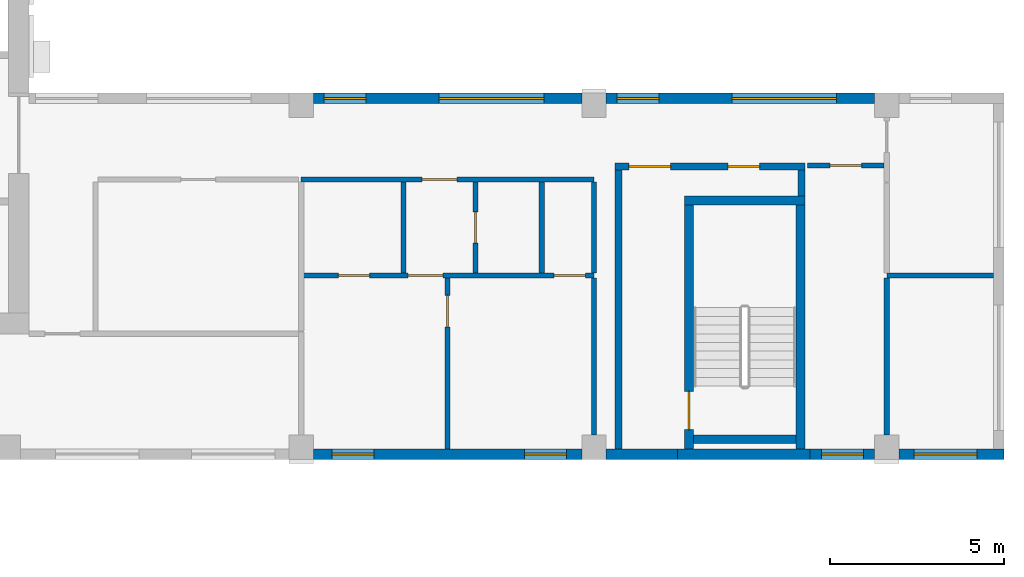
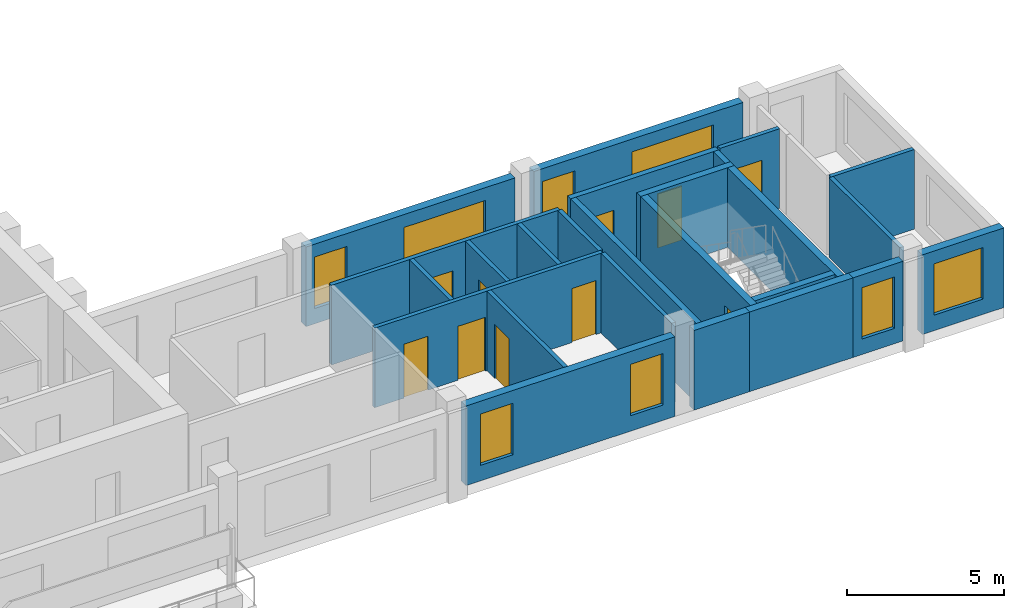
# One storey, part 4 of 9: 25 walls, 10 doors, 8 windows, 18 openings.
"""IFC4 building model written with IfcOpenShell, lengths in metres."""

from ifc_helpers import new_model, si_unit, direction, frame, frame_2d, origin, place, context, subcontext, project, spatial, rectangle, extrude, source, transform, mapped, material, layer, layer_set, type_object, element, fill, save


model = new_model("IFC4")

# Units and contexts
model_context = context("Model", 3, precision=1e-05, world=origin(), true_north=direction((0.0, 1.0)))
body_context = subcontext(model_context, "Body", "Model", "MODEL_VIEW")
ifc_project = project(units=[si_unit("LENGTHUNIT", "METRE"), si_unit("AREAUNIT", "SQUARE_METRE"), si_unit("VOLUMEUNIT", "CUBIC_METRE"), si_unit("PLANEANGLEUNIT", "RADIAN"), si_unit("MASSUNIT", "GRAM", prefix="KILO")], contexts=[model_context])

# Site, building, storey
site_placement = place(None, origin())
site = spatial("IfcSite", under=ifc_project, at=site_placement, CompositionType="ELEMENT")
building_placement = place(site_placement, origin())
building = spatial("IfcBuilding", under=site, at=building_placement, Name="Aurelian Terraces", CompositionType="ELEMENT")
storey_placement = place(building_placement, frame((0.0, 0.0, 312.5)))
storey = spatial("IfcBuildingStorey", under=building, at=storey_placement, Name="L72", CompositionType="ELEMENT", Elevation=312.5)

# Wall
ifc_material_1 = material(Name="Gypsum board on steel studs", Category="steel")
ifc_layer_1 = layer(ifc_material_1, 0.15)
ifc_layer_set_1 = layer_set([ifc_layer_1], Name="Fire partition 150")
wall_type_1 = type_object("IfcWallType", Name="Fire partition 150", PredefinedType="PARTITIONING", material=ifc_layer_set_1)
wall_1_placement = place(storey_placement, frame((37.8, 0.699, 0.0), z_axis=(0.0, 0.0, 1.0), x_axis=(0.0, 1.0, 0.0)))
element("IfcWall", 1, at=wall_1_placement, inside=storey, type_object=wall_type_1, Name="Party wall", PredefinedType="PARTITIONING", context=body_context, shape_type="SweptSolid", body=[
    extrude(rectangle(XDim=4.501, YDim=0.15, at=frame_2d((2.2505, 0.0))), origin(), (0.0, 0.0, 1.0), 3.1),
])

# Wall, opening, door
ifc_layer_2 = layer(ifc_material_1, 0.15)
ifc_layer_set_2 = layer_set([ifc_layer_2], Name="Partition 150")
wall_type_2 = type_object("IfcWallType", Name="Partition 150", PredefinedType="PARTITIONING", material=ifc_layer_set_2)
wall_2_placement = place(storey_placement, frame((33.6, 0.3, 0.0), z_axis=(0.0, 0.0, 1.0), x_axis=(0.0, 1.0, 0.0)))
wall_2 = element("IfcWall", 2, at=wall_2_placement, inside=storey, type_object=wall_type_2, Name="Partition", PredefinedType="PARTITIONING", context=body_context, shape_type="SweptSolid", body=[
    extrude(rectangle(XDim=4.9, YDim=0.15, at=frame_2d((2.45, 0.0))), origin(), (0.0, 0.0, 1.0), 3.1),
])
shared_shape_1 = source(origin(), body_context, "Body", "SweptSolid", [
    extrude(rectangle(XDim=0.9, YDim=2.1, at=frame_2d((0.45, 1.05))), frame((0.0, 0.085, 0.0), z_axis=(0.0, -1.0, 0.0), x_axis=(1.0, 0.0, 0.0)), (0.0, 0.0, 1.0), 0.17),
])
opening_1_placement = place(wall_2_placement, frame((3.5, 0.0, 0.0)))
opening_1 = element("IfcOpeningElement", 3, at=opening_1_placement, cuts=wall_2, Name="Opening 772010", PredefinedType="OPENING", context=body_context, shape_type="MappedRepresentation", body=[
    mapped(shared_shape_1, transform((0.0, 0.0, 0.0), scale=1.0)),
])
ifc_material_2 = material(Name="Timber door leaf", Category="wood")
door_type_1 = type_object("IfcDoorType", Name="Room door 900x2100 right", OperationType="SINGLE_SWING_RIGHT", PredefinedType="DOOR", material=ifc_material_2)
shared_shape_2 = source(origin(), body_context, "Body", "SweptSolid", [
    extrude(rectangle(XDim=0.9, YDim=2.1, at=frame_2d((0.45, 1.05))), frame((0.0, 0.025, 0.0), z_axis=(0.0, -1.0, 0.0), x_axis=(1.0, 0.0, 0.0)), (0.0, 0.0, 1.0), 0.05),
])
door_1_placement = place(opening_1_placement, origin())
door_1 = element("IfcDoor", 4, at=door_1_placement, inside=storey, type_object=door_type_1, Name="Door 772010", OperationType="SINGLE_SWING_RIGHT", OverallHeight=2.1, OverallWidth=0.9, PredefinedType="DOOR", context=body_context, shape_type="MappedRepresentation", body=[
    mapped(shared_shape_2, transform((0.0, 0.0, 0.0), scale=1.0)),
])
fill(opening_1, door_1)

# Wall
wall_3_placement = place(storey_placement, frame((32.335, 5.35, 0.0), z_axis=(0.0, 0.0, 1.0), x_axis=(0.0, 1.0, 0.0)))
element("IfcWall", 5, at=wall_3_placement, inside=storey, type_object=wall_type_2, Name="Partition", PredefinedType="PARTITIONING", context=body_context, shape_type="SweptSolid", body=[
    extrude(rectangle(XDim=2.6, YDim=0.15, at=frame_2d((1.3, 0.0))), origin(), (0.0, 0.0, 1.0), 3.1),
])

# Wall, openings, windows
ifc_material_3 = material(Name="Terracotta rainscreen cladding", Category="masonry")
ifc_layer_3 = layer(ifc_material_3, 0.3)
ifc_layer_set_3 = layer_set([ifc_layer_3], Name="EW-300")
wall_type_3 = type_object("IfcWallType", Name="EW-300", PredefinedType="STANDARD", material=ifc_layer_set_3)
shared_shape_3 = source(origin(), body_context, "Body", "SweptSolid", [
    extrude(rectangle(XDim=7.7, YDim=0.3, at=frame_2d((3.85, 0.0))), origin(), (0.0, 0.0, 1.0), 3.1),
])
wall_4_placement = place(storey_placement, frame((29.75, 0.15, 0.0), z_axis=(0.0, 0.0, 1.0), x_axis=(1.0, 0.0, 0.0)))
wall_4 = element("IfcWall", 6, at=wall_4_placement, inside=storey, type_object=wall_type_3, Name="External wall L72 F01.4", PredefinedType="STANDARD", context=body_context, shape_type="MappedRepresentation", body=[
    mapped(shared_shape_3, transform((0.0, 0.0, 0.0), scale=1.0)),
])
shared_shape_4 = source(origin(), body_context, "Body", "SweptSolid", [
    extrude(rectangle(XDim=1.2, YDim=2.0, at=frame_2d((0.6, 1.0))), frame((0.0, 0.16, 0.0), z_axis=(0.0, -1.0, 0.0), x_axis=(1.0, 0.0, 0.0)), (0.0, 0.0, 1.0), 0.32),
])
opening_2_placement = place(wall_4_placement, frame((0.5375, 0.0, 0.6)))
opening_2 = element("IfcOpeningElement", 7, at=opening_2_placement, cuts=wall_4, Name="Opening W1220", PredefinedType="OPENING", context=body_context, shape_type="MappedRepresentation", body=[
    mapped(shared_shape_4, transform((0.0, 0.0, 0.0), scale=1.0)),
])
opening_3_placement = place(wall_4_placement, frame((6.0625, 0.0, 0.6)))
opening_3 = element("IfcOpeningElement", 8, at=opening_3_placement, cuts=wall_4, Name="Opening W1220", PredefinedType="OPENING", context=body_context, shape_type="MappedRepresentation", body=[
    mapped(shared_shape_4, transform((0.0, 0.0, 0.0), scale=1.0)),
])
ifc_material_4 = material(Name="Clear glazing", Category="glass")
window_type_1 = type_object("IfcWindowType", Name="W-1200x2000", PartitioningType="SINGLE_PANEL", PredefinedType="WINDOW", material=ifc_material_4)
shared_shape_5 = source(origin(), body_context, "Body", "SweptSolid", [
    extrude(rectangle(XDim=1.2, YDim=2.0, at=frame_2d((0.6, 1.0))), frame((0.0, 0.03, 0.0), z_axis=(0.0, -1.0, 0.0), x_axis=(1.0, 0.0, 0.0)), (0.0, 0.0, 1.0), 0.06),
])
window_1_placement = place(opening_2_placement, origin())
window_1 = element("IfcWindow", 9, at=window_1_placement, inside=storey, type_object=window_type_1, Name="Window L72 L72-F01-04-0", OverallHeight=2.0, OverallWidth=1.2, PartitioningType="SINGLE_PANEL", PredefinedType="WINDOW", context=body_context, shape_type="MappedRepresentation", body=[
    mapped(shared_shape_5, transform((0.0, 0.0, 0.0), scale=1.0)),
])
fill(opening_2, window_1)
window_2_placement = place(opening_3_placement, origin())
window_2 = element("IfcWindow", 10, at=window_2_placement, inside=storey, type_object=window_type_1, Name="Window L72 L72-F01-04-1", OverallHeight=2.0, OverallWidth=1.2, PartitioningType="SINGLE_PANEL", PredefinedType="WINDOW", context=body_context, shape_type="MappedRepresentation", body=[
    mapped(shared_shape_5, transform((0.0, 0.0, 0.0), scale=1.0)),
])
fill(opening_3, window_2)

wall_5_placement = place(storey_placement, frame((45.85, 10.35, 0.0), z_axis=(0.0, 0.0, 1.0), x_axis=(-1.0, 0.0, 0.0)))
wall_5 = element("IfcWall", 11, at=wall_5_placement, inside=storey, type_object=wall_type_3, Name="External wall L72 F03.8", PredefinedType="STANDARD", context=body_context, shape_type="MappedRepresentation", body=[
    mapped(shared_shape_3, transform((0.0, 0.0, 0.0), scale=1.0)),
])
shared_shape_6 = source(origin(), body_context, "Body", "SweptSolid", [
    extrude(rectangle(XDim=3.0, YDim=2.0, at=frame_2d((1.5, 1.0))), frame((0.0, 0.16, 0.0), z_axis=(0.0, -1.0, 0.0), x_axis=(1.0, 0.0, 0.0)), (0.0, 0.0, 1.0), 0.32),
])
opening_4_placement = place(wall_5_placement, frame((1.09, 0.0, 0.6)))
opening_4 = element("IfcOpeningElement", 12, at=opening_4_placement, cuts=wall_5, Name="Opening W3020", PredefinedType="OPENING", context=body_context, shape_type="MappedRepresentation", body=[
    mapped(shared_shape_6, transform((0.0, 0.0, 0.0), scale=1.0)),
])
opening_5_placement = place(wall_5_placement, frame((6.19, 0.0, 0.6)))
opening_5 = element("IfcOpeningElement", 13, at=opening_5_placement, cuts=wall_5, Name="Opening W1220", PredefinedType="OPENING", context=body_context, shape_type="MappedRepresentation", body=[
    mapped(shared_shape_4, transform((0.0, 0.0, 0.0), scale=1.0)),
])
window_type_2 = type_object("IfcWindowType", Name="W-3000x2000", PartitioningType="SINGLE_PANEL", PredefinedType="WINDOW", material=ifc_material_4)
shared_shape_7 = source(origin(), body_context, "Body", "SweptSolid", [
    extrude(rectangle(XDim=3.0, YDim=2.0, at=frame_2d((1.5, 1.0))), frame((0.0, 0.03, 0.0), z_axis=(0.0, -1.0, 0.0), x_axis=(1.0, 0.0, 0.0)), (0.0, 0.0, 1.0), 0.06),
])
window_3_placement = place(opening_4_placement, origin())
window_3 = element("IfcWindow", 14, at=window_3_placement, inside=storey, type_object=window_type_2, Name="Window L72 L72-F03-08-1", OverallHeight=2.0, OverallWidth=3.0, PartitioningType="SINGLE_PANEL", PredefinedType="WINDOW", context=body_context, shape_type="MappedRepresentation", body=[
    mapped(shared_shape_7, transform((0.0, 0.0, 0.0), scale=1.0)),
])
fill(opening_4, window_3)
window_4_placement = place(opening_5_placement, origin())
window_4 = element("IfcWindow", 15, at=window_4_placement, inside=storey, type_object=window_type_1, Name="Window L72 L72-F03-08-2", OverallHeight=2.0, OverallWidth=1.2, PartitioningType="SINGLE_PANEL", PredefinedType="WINDOW", context=body_context, shape_type="MappedRepresentation", body=[
    mapped(shared_shape_5, transform((0.0, 0.0, 0.0), scale=1.0)),
])
fill(opening_5, window_4)

wall_6_placement = place(storey_placement, frame((37.45, 10.35, 0.0), z_axis=(0.0, 0.0, 1.0), x_axis=(-1.0, 0.0, 0.0)))
wall_6 = element("IfcWall", 16, at=wall_6_placement, inside=storey, type_object=wall_type_3, Name="External wall L72 F03.8", PredefinedType="STANDARD", context=body_context, shape_type="MappedRepresentation", body=[
    mapped(shared_shape_3, transform((0.0, 0.0, 0.0), scale=1.0)),
])
opening_6_placement = place(wall_6_placement, frame((1.09, 0.0, 0.6)))
opening_6 = element("IfcOpeningElement", 17, at=opening_6_placement, cuts=wall_6, Name="Opening W3020", PredefinedType="OPENING", context=body_context, shape_type="MappedRepresentation", body=[
    mapped(shared_shape_6, transform((0.0, 0.0, 0.0), scale=1.0)),
])
opening_7_placement = place(wall_6_placement, frame((6.19, 0.0, 0.6)))
opening_7 = element("IfcOpeningElement", 18, at=opening_7_placement, cuts=wall_6, Name="Opening W1220", PredefinedType="OPENING", context=body_context, shape_type="MappedRepresentation", body=[
    mapped(shared_shape_4, transform((0.0, 0.0, 0.0), scale=1.0)),
])
window_5_placement = place(opening_6_placement, origin())
window_5 = element("IfcWindow", 19, at=window_5_placement, inside=storey, type_object=window_type_2, Name="Window L72 L72-F03-08-3", OverallHeight=2.0, OverallWidth=3.0, PartitioningType="SINGLE_PANEL", PredefinedType="WINDOW", context=body_context, shape_type="MappedRepresentation", body=[
    mapped(shared_shape_7, transform((0.0, 0.0, 0.0), scale=1.0)),
])
fill(opening_6, window_5)
window_6_placement = place(opening_7_placement, origin())
window_6 = element("IfcWindow", 20, at=window_6_placement, inside=storey, type_object=window_type_1, Name="Window L72 L72-F03-08-4", OverallHeight=2.0, OverallWidth=1.2, PartitioningType="SINGLE_PANEL", PredefinedType="WINDOW", context=body_context, shape_type="MappedRepresentation", body=[
    mapped(shared_shape_5, transform((0.0, 0.0, 0.0), scale=1.0)),
])
fill(opening_7, window_6)

# Wall, opening, window
shared_shape_8 = source(origin(), body_context, "Body", "SweptSolid", [
    extrude(rectangle(XDim=3.01, YDim=0.3, at=frame_2d((1.505, 0.0))), origin(), (0.0, 0.0, 1.0), 3.1),
])
wall_7_placement = place(storey_placement, frame((46.55, 0.15, 0.0), z_axis=(0.0, 0.0, 1.0), x_axis=(1.0, 0.0, 0.0)))
wall_7 = element("IfcWall", 21, at=wall_7_placement, inside=storey, type_object=wall_type_3, Name="External wall L72 F01.6", PredefinedType="STANDARD", context=body_context, shape_type="MappedRepresentation", body=[
    mapped(shared_shape_8, transform((0.0, 0.0, 0.0), scale=1.0)),
])
shared_shape_9 = source(origin(), body_context, "Body", "SweptSolid", [
    extrude(rectangle(XDim=1.8, YDim=2.0, at=frame_2d((0.9, 1.0))), frame((0.0, 0.16, 0.0), z_axis=(0.0, -1.0, 0.0), x_axis=(1.0, 0.0, 0.0)), (0.0, 0.0, 1.0), 0.32),
])
opening_8_placement = place(wall_7_placement, frame((0.43, 0.0, 0.6)))
opening_8 = element("IfcOpeningElement", 22, at=opening_8_placement, cuts=wall_7, Name="Opening W1820", PredefinedType="OPENING", context=body_context, shape_type="MappedRepresentation", body=[
    mapped(shared_shape_9, transform((0.0, 0.0, 0.0), scale=1.0)),
])
window_type_3 = type_object("IfcWindowType", Name="W-1800x2000", PartitioningType="SINGLE_PANEL", PredefinedType="WINDOW", material=ifc_material_4)
shared_shape_10 = source(origin(), body_context, "Body", "SweptSolid", [
    extrude(rectangle(XDim=1.8, YDim=2.0, at=frame_2d((0.9, 1.0))), frame((0.0, 0.03, 0.0), z_axis=(0.0, -1.0, 0.0), x_axis=(1.0, 0.0, 0.0)), (0.0, 0.0, 1.0), 0.06),
])
window_7_placement = place(opening_8_placement, origin())
window_7 = element("IfcWindow", 23, at=window_7_placement, inside=storey, type_object=window_type_3, Name="Window L72 L72-F01-06-0", OverallHeight=2.0, OverallWidth=1.8, PartitioningType="SINGLE_PANEL", PredefinedType="WINDOW", context=body_context, shape_type="MappedRepresentation", body=[
    mapped(shared_shape_10, transform((0.0, 0.0, 0.0), scale=1.0)),
])
fill(opening_8, window_7)

# Walls
shared_shape_11 = source(origin(), body_context, "Body", "SweptSolid", [
    extrude(rectangle(XDim=2.05, YDim=0.3, at=frame_2d((1.025, 0.0))), origin(), (0.0, 0.0, 1.0), 3.1),
])
wall_8_placement = place(storey_placement, frame((38.15, 0.15, 0.0), z_axis=(0.0, 0.0, 1.0), x_axis=(1.0, 0.0, 0.0)))
element("IfcWall", 24, at=wall_8_placement, inside=storey, type_object=wall_type_3, Name="External wall L72 F01.5", PredefinedType="STANDARD", context=body_context, shape_type="MappedRepresentation", body=[
    mapped(shared_shape_11, transform((0.0, 0.0, 0.0), scale=1.0)),
])
ifc_material_5 = material(Name="Concrete fc' 40 MPa", Category="concrete")
ifc_layer_4 = layer(ifc_material_5, 0.3)
ifc_layer_set_4 = layer_set([ifc_layer_4], Name="STAIR BAY WALL 300")
wall_type_4 = type_object("IfcWallType", Name="STAIR BAY WALL 300", PredefinedType="SOLIDWALL", material=ifc_layer_set_4)
shared_shape_12 = source(origin(), body_context, "Body", "SweptSolid", [
    extrude(rectangle(XDim=3.8, YDim=0.3, at=frame_2d((1.9, 0.0))), origin(), (0.0, 0.0, 1.0), 3.1),
])
wall_9_placement = place(storey_placement, frame((40.2, 0.15, 0.0), z_axis=(0.0, 0.0, 1.0), x_axis=(1.0, 0.0, 0.0)))
element("IfcWall", 25, at=wall_9_placement, inside=storey, type_object=wall_type_4, Name="Stair bay wall L72 F01.5", PredefinedType="SOLIDWALL", context=body_context, shape_type="MappedRepresentation", body=[
    mapped(shared_shape_12, transform((0.0, 0.0, 0.0), scale=1.0)),
])

# Wall, opening, window
shared_shape_13 = source(origin(), body_context, "Body", "SweptSolid", [
    extrude(rectangle(XDim=1.85, YDim=0.3, at=frame_2d((0.925, 0.0))), origin(), (0.0, 0.0, 1.0), 3.1),
])
wall_10_placement = place(storey_placement, frame((44.0, 0.15, 0.0), z_axis=(0.0, 0.0, 1.0), x_axis=(1.0, 0.0, 0.0)))
wall_10 = element("IfcWall", 26, at=wall_10_placement, inside=storey, type_object=wall_type_3, Name="External wall L72 F01.5", PredefinedType="STANDARD", context=body_context, shape_type="MappedRepresentation", body=[
    mapped(shared_shape_13, transform((0.0, 0.0, 0.0), scale=1.0)),
])
opening_9_placement = place(wall_10_placement, frame((0.325, 0.0, 0.6)))
opening_9 = element("IfcOpeningElement", 27, at=opening_9_placement, cuts=wall_10, Name="Opening W1220", PredefinedType="OPENING", context=body_context, shape_type="MappedRepresentation", body=[
    mapped(shared_shape_4, transform((0.0, 0.0, 0.0), scale=1.0)),
])
window_8_placement = place(opening_9_placement, origin())
window_8 = element("IfcWindow", 28, at=window_8_placement, inside=storey, type_object=window_type_1, Name="Window L72 L72-F01-05-P2", OverallHeight=2.0, OverallWidth=1.2, PartitioningType="SINGLE_PANEL", PredefinedType="WINDOW", context=body_context, shape_type="MappedRepresentation", body=[
    mapped(shared_shape_5, transform((0.0, 0.0, 0.0), scale=1.0)),
])
fill(opening_9, window_8)

# Wall, opening, door
ifc_layer_5 = layer(ifc_material_5, 0.25)
ifc_layer_set_5 = layer_set([ifc_layer_5], Name="Stair enclosure wall 250")
wall_type_5 = type_object("IfcWallType", Name="Stair enclosure wall 250", PredefinedType="SOLIDWALL", material=ifc_layer_set_5)
shared_shape_14 = source(origin(), body_context, "Body", "SweptSolid", [
    extrude(rectangle(XDim=7.0, YDim=0.25, at=frame_2d((3.5, 0.0))), origin(), (0.0, 0.0, 1.0), 3.1),
])
wall_11_placement = place(storey_placement, frame((40.525, 0.3, 0.0), z_axis=(0.0, 0.0, 1.0), x_axis=(0.0, 1.0, 0.0)))
wall_11 = element("IfcWall", 29, at=wall_11_placement, inside=storey, type_object=wall_type_5, Name="L72 core wall ST-S2-W", PredefinedType="SOLIDWALL", context=body_context, shape_type="MappedRepresentation", body=[
    mapped(shared_shape_14, transform((0.0, 0.0, 0.0), scale=1.0)),
])
shared_shape_15 = source(origin(), body_context, "Body", "SweptSolid", [
    extrude(rectangle(XDim=1.1, YDim=2.1, at=frame_2d((0.55, 1.05))), frame((0.0, 0.135, 0.0), z_axis=(0.0, -1.0, 0.0), x_axis=(1.0, 0.0, 0.0)), (0.0, 0.0, 1.0), 0.27),
])
opening_10_placement = place(wall_11_placement, frame((0.55, 0.0, 0.0)))
opening_10 = element("IfcOpeningElement", 30, at=opening_10_placement, cuts=wall_11, Name="Opening 67525", PredefinedType="OPENING", context=body_context, shape_type="MappedRepresentation", body=[
    mapped(shared_shape_15, transform((0.0, 0.0, 0.0), scale=1.0)),
])
ifc_material_6 = material(Name="Steel door leaf", Category="steel")
door_type_2 = type_object("IfcDoorType", Name="Core fire door 1100x2100", OperationType="SINGLE_SWING_LEFT", PredefinedType="DOOR", material=ifc_material_6)
shared_shape_16 = source(origin(), body_context, "Body", "SweptSolid", [
    extrude(rectangle(XDim=1.1, YDim=2.1, at=frame_2d((0.55, 1.05))), frame((0.0, 0.025, 0.0), z_axis=(0.0, -1.0, 0.0), x_axis=(1.0, 0.0, 0.0)), (0.0, 0.0, 1.0), 0.05),
])
door_2_placement = place(opening_10_placement, origin())
door_2 = element("IfcDoor", 31, at=door_2_placement, inside=storey, type_object=door_type_2, Name="Stair door 67525", OperationType="SINGLE_SWING_LEFT", OverallHeight=2.1, OverallWidth=1.1, PredefinedType="DOOR", context=body_context, shape_type="MappedRepresentation", body=[
    mapped(shared_shape_16, transform((0.0, 0.0, 0.0), scale=1.0)),
])
fill(opening_10, door_2)

# Walls
wall_12_placement = place(storey_placement, frame((43.725, 0.3, 0.0), z_axis=(0.0, 0.0, 1.0), x_axis=(0.0, 1.0, 0.0)))
element("IfcWall", 32, at=wall_12_placement, inside=storey, type_object=wall_type_5, Name="L72 core wall ST-S2-E", PredefinedType="SOLIDWALL", context=body_context, shape_type="MappedRepresentation", body=[
    mapped(shared_shape_14, transform((0.0, 0.0, 0.0), scale=1.0)),
])
shared_shape_17 = source(origin(), body_context, "Body", "SweptSolid", [
    extrude(rectangle(XDim=3.45, YDim=0.25, at=frame_2d((1.725, 0.0))), origin(), (0.0, 0.0, 1.0), 3.1),
])
wall_13_placement = place(storey_placement, frame((40.4, 7.425, 0.0), z_axis=(0.0, 0.0, 1.0), x_axis=(1.0, 0.0, 0.0)))
element("IfcWall", 33, at=wall_13_placement, inside=storey, type_object=wall_type_5, Name="L72 core wall ST-S2-N", PredefinedType="SOLIDWALL", context=body_context, shape_type="MappedRepresentation", body=[
    mapped(shared_shape_17, transform((0.0, 0.0, 0.0), scale=1.0)),
])
ifc_layer_6 = layer(ifc_material_1, 0.2)
ifc_layer_set_6 = layer_set([ifc_layer_6], Name="Core partition 200")
wall_type_6 = type_object("IfcWallType", Name="Core partition 200", PredefinedType="PARTITIONING", material=ifc_layer_set_6)
shared_shape_18 = source(origin(), body_context, "Body", "SweptSolid", [
    extrude(rectangle(XDim=8.0, YDim=0.2, at=frame_2d((4.0, 0.0))), origin(), (0.0, 0.0, 1.0), 3.1),
])
wall_14_placement = place(storey_placement, frame((38.5, 0.3, 0.0), z_axis=(0.0, 0.0, 1.0), x_axis=(0.0, 1.0, 0.0)))
element("IfcWall", 34, at=wall_14_placement, inside=storey, type_object=wall_type_6, Name="L72 core wall ST-S2-VW", PredefinedType="PARTITIONING", context=body_context, shape_type="MappedRepresentation", body=[
    mapped(shared_shape_18, transform((0.0, 0.0, 0.0), scale=1.0)),
])

# Wall, openings, doors
shared_shape_19 = source(origin(), body_context, "Body", "SweptSolid", [
    extrude(rectangle(XDim=5.45, YDim=0.2, at=frame_2d((2.725, 0.0))), origin(), (0.0, 0.0, 1.0), 3.1),
])
wall_15_placement = place(storey_placement, frame((38.4, 8.4, 0.0), z_axis=(0.0, 0.0, 1.0), x_axis=(1.0, 0.0, 0.0)))
wall_15 = element("IfcWall", 35, at=wall_15_placement, inside=storey, type_object=wall_type_6, Name="L72 core wall ST-S2-BN", PredefinedType="PARTITIONING", context=body_context, shape_type="MappedRepresentation", body=[
    mapped(shared_shape_19, transform((0.0, 0.0, 0.0), scale=1.0)),
])
shared_shape_20 = source(origin(), body_context, "Body", "SweptSolid", [
    extrude(rectangle(XDim=1.2, YDim=2.1, at=frame_2d((0.6, 1.05))), frame((0.0, 0.11, 0.0), z_axis=(0.0, -1.0, 0.0), x_axis=(1.0, 0.0, 0.0)), (0.0, 0.0, 1.0), 0.22),
])
opening_11_placement = place(wall_15_placement, frame((0.4, 0.0, 0.0)))
opening_11 = element("IfcOpeningElement", 36, at=opening_11_placement, cuts=wall_15, Name="Opening 67526", PredefinedType="OPENING", context=body_context, shape_type="MappedRepresentation", body=[
    mapped(shared_shape_20, transform((0.0, 0.0, 0.0), scale=1.0)),
])
shared_shape_21 = source(origin(), body_context, "Body", "SweptSolid", [
    extrude(rectangle(XDim=0.9, YDim=2.1, at=frame_2d((0.45, 1.05))), frame((0.0, 0.11, 0.0), z_axis=(0.0, -1.0, 0.0), x_axis=(1.0, 0.0, 0.0)), (0.0, 0.0, 1.0), 0.22),
])
opening_12_placement = place(wall_15_placement, frame((3.25, 0.0, 0.0)))
opening_12 = element("IfcOpeningElement", 37, at=opening_12_placement, cuts=wall_15, Name="Opening 67527", PredefinedType="OPENING", context=body_context, shape_type="MappedRepresentation", body=[
    mapped(shared_shape_21, transform((0.0, 0.0, 0.0), scale=1.0)),
])
door_type_3 = type_object("IfcDoorType", Name="Core riser door 900x2100", OperationType="SINGLE_SWING_LEFT", PredefinedType="DOOR", material=ifc_material_6)
door_3_placement = place(opening_12_placement, origin())
door_3 = element("IfcDoor", 38, at=door_3_placement, inside=storey, type_object=door_type_3, Name="Riser door 67527", OperationType="SINGLE_SWING_LEFT", OverallHeight=2.1, OverallWidth=0.9, PredefinedType="DOOR", context=body_context, shape_type="MappedRepresentation", body=[
    mapped(shared_shape_2, transform((0.0, 0.0, 0.0), scale=1.0)),
])
fill(opening_12, door_3)
door_type_4 = type_object("IfcDoorType", Name="Core fire door 1200x2100 right", OperationType="SINGLE_SWING_RIGHT", PredefinedType="DOOR", material=ifc_material_6)
shared_shape_22 = source(origin(), body_context, "Body", "SweptSolid", [
    extrude(rectangle(XDim=1.2, YDim=2.1, at=frame_2d((0.6, 1.05))), frame((0.0, 0.025, 0.0), z_axis=(0.0, -1.0, 0.0), x_axis=(1.0, 0.0, 0.0)), (0.0, 0.0, 1.0), 0.05),
])
door_4_placement = place(opening_11_placement, origin())
door_4 = element("IfcDoor", 39, at=door_4_placement, inside=storey, type_object=door_type_4, Name="Vestibule door 67526", OperationType="SINGLE_SWING_RIGHT", OverallHeight=2.1, OverallWidth=1.2, PredefinedType="DOOR", context=body_context, shape_type="MappedRepresentation", body=[
    mapped(shared_shape_22, transform((0.0, 0.0, 0.0), scale=1.0)),
])
fill(opening_11, door_4)

# Walls
shared_shape_23 = source(origin(), body_context, "Body", "SweptSolid", [
    extrude(rectangle(XDim=0.75, YDim=0.2, at=frame_2d((0.375, 0.0))), origin(), (0.0, 0.0, 1.0), 3.1),
])
wall_16_placement = place(storey_placement, frame((43.75, 7.55, 0.0), z_axis=(0.0, 0.0, 1.0), x_axis=(0.0, 1.0, 0.0)))
element("IfcWall", 40, at=wall_16_placement, inside=storey, type_object=wall_type_6, Name="L72 core wall ST-S2-RE", PredefinedType="PARTITIONING", context=body_context, shape_type="MappedRepresentation", body=[
    mapped(shared_shape_23, transform((0.0, 0.0, 0.0), scale=1.0)),
])
shared_shape_24 = source(origin(), body_context, "Body", "SweptSolid", [
    extrude(rectangle(XDim=2.95, YDim=0.25, at=frame_2d((1.475, 0.0))), origin(), (0.0, 0.0, 1.0), 3.1),
])
wall_17_placement = place(storey_placement, frame((40.65, 0.575, 0.0), z_axis=(0.0, 0.0, 1.0), x_axis=(1.0, 0.0, 0.0)))
element("IfcWall", 41, at=wall_17_placement, inside=storey, type_object=wall_type_5, Name="L72 core wall ST-S2-SS", PredefinedType="SOLIDWALL", context=body_context, shape_type="MappedRepresentation", body=[
    mapped(shared_shape_24, transform((0.0, 0.0, 0.0), scale=1.0)),
])

# Wall, openings, doors
shared_shape_25 = source(origin(), body_context, "Body", "SweptSolid", [
    extrude(rectangle(XDim=8.4, YDim=0.15, at=frame_2d((4.2, 0.0))), origin(), (0.0, 0.0, 1.0), 3.1),
])
wall_18_placement = place(storey_placement, frame((37.8, 5.275, 0.0), z_axis=(0.0, 0.0, 1.0), x_axis=(-1.0, 0.0, 0.0)))
wall_18 = element("IfcWall", 42, at=wall_18_placement, inside=storey, type_object=wall_type_2, Name="Partition", PredefinedType="PARTITIONING", context=body_context, shape_type="MappedRepresentation", body=[
    mapped(shared_shape_25, transform((0.0, 0.0, 0.0), scale=1.0)),
])
shared_shape_26 = source(origin(), body_context, "Body", "SweptSolid", [
    extrude(rectangle(XDim=1.0, YDim=2.1, at=frame_2d((0.5, 1.05))), frame((0.0, 0.085, 0.0), z_axis=(0.0, -1.0, 0.0), x_axis=(1.0, 0.0, 0.0)), (0.0, 0.0, 1.0), 0.17),
])
opening_13_placement = place(wall_18_placement, frame((4.332, 0.0, 0.0)))
opening_13 = element("IfcOpeningElement", 43, at=opening_13_placement, cuts=wall_18, Name="Opening 772006", PredefinedType="OPENING", context=body_context, shape_type="MappedRepresentation", body=[
    mapped(shared_shape_26, transform((0.0, 0.0, 0.0), scale=1.0)),
])
opening_14_placement = place(wall_18_placement, frame((6.4325, 0.0, 0.0)))
opening_14 = element("IfcOpeningElement", 44, at=opening_14_placement, cuts=wall_18, Name="Opening 772007", PredefinedType="OPENING", context=body_context, shape_type="MappedRepresentation", body=[
    mapped(shared_shape_1, transform((0.0, 0.0, 0.0), scale=1.0)),
])
opening_15_placement = place(wall_18_placement, frame((0.2485, 0.0, 0.0)))
opening_15 = element("IfcOpeningElement", 45, at=opening_15_placement, cuts=wall_18, Name="Opening 772009", PredefinedType="OPENING", context=body_context, shape_type="MappedRepresentation", body=[
    mapped(shared_shape_1, transform((0.0, 0.0, 0.0), scale=1.0)),
])
door_type_5 = type_object("IfcDoorType", Name="Room door 1000x2100 right", OperationType="SINGLE_SWING_RIGHT", PredefinedType="DOOR", material=ifc_material_2)
shared_shape_27 = source(origin(), body_context, "Body", "SweptSolid", [
    extrude(rectangle(XDim=1.0, YDim=2.1, at=frame_2d((0.5, 1.05))), frame((0.0, 0.025, 0.0), z_axis=(0.0, -1.0, 0.0), x_axis=(1.0, 0.0, 0.0)), (0.0, 0.0, 1.0), 0.05),
])
door_5_placement = place(opening_13_placement, origin())
door_5 = element("IfcDoor", 46, at=door_5_placement, inside=storey, type_object=door_type_5, Name="Door 772006", OperationType="SINGLE_SWING_RIGHT", OverallHeight=2.1, OverallWidth=1.0, PredefinedType="DOOR", context=body_context, shape_type="MappedRepresentation", body=[
    mapped(shared_shape_27, transform((0.0, 0.0, 0.0), scale=1.0)),
])
fill(opening_13, door_5)
door_type_6 = type_object("IfcDoorType", Name="Room door 900x2100 left", OperationType="SINGLE_SWING_LEFT", PredefinedType="DOOR", material=ifc_material_2)
door_6_placement = place(opening_14_placement, origin())
door_6 = element("IfcDoor", 47, at=door_6_placement, inside=storey, type_object=door_type_6, Name="Door 772007", OperationType="SINGLE_SWING_LEFT", OverallHeight=2.1, OverallWidth=0.9, PredefinedType="DOOR", context=body_context, shape_type="MappedRepresentation", body=[
    mapped(shared_shape_2, transform((0.0, 0.0, 0.0), scale=1.0)),
])
fill(opening_14, door_6)
door_7_placement = place(opening_15_placement, origin())
door_7 = element("IfcDoor", 48, at=door_7_placement, inside=storey, type_object=door_type_6, Name="Door 772009", OperationType="SINGLE_SWING_LEFT", OverallHeight=2.1, OverallWidth=0.9, PredefinedType="DOOR", context=body_context, shape_type="MappedRepresentation", body=[
    mapped(shared_shape_2, transform((0.0, 0.0, 0.0), scale=1.0)),
])
fill(opening_15, door_7)

# Wall, opening, door
wall_19_placement = place(storey_placement, frame((37.8, 8.025, 0.0), z_axis=(0.0, 0.0, 1.0), x_axis=(-1.0, 0.0, 0.0)))
wall_19 = element("IfcWall", 49, at=wall_19_placement, inside=storey, type_object=wall_type_1, Name="Corridor wall", PredefinedType="PARTITIONING", context=body_context, shape_type="MappedRepresentation", body=[
    mapped(shared_shape_25, transform((0.0, 0.0, 0.0), scale=1.0)),
])
opening_16_placement = place(wall_19_placement, frame((3.9333, 0.0, 0.0)))
opening_16 = element("IfcOpeningElement", 50, at=opening_16_placement, cuts=wall_19, Name="Opening 772005", PredefinedType="OPENING", context=body_context, shape_type="MappedRepresentation", body=[
    mapped(shared_shape_26, transform((0.0, 0.0, 0.0), scale=1.0)),
])
door_type_7 = type_object("IfcDoorType", Name="Entrance fire door 1000x2100 left", OperationType="SINGLE_SWING_LEFT", PredefinedType="DOOR", material=ifc_material_6)
door_8_placement = place(opening_16_placement, origin())
door_8 = element("IfcDoor", 51, at=door_8_placement, inside=storey, type_object=door_type_7, Name="Door 772005", OperationType="SINGLE_SWING_LEFT", OverallHeight=2.1, OverallWidth=1.0, PredefinedType="DOOR", context=body_context, shape_type="MappedRepresentation", body=[
    mapped(shared_shape_27, transform((0.0, 0.0, 0.0), scale=1.0)),
])
fill(opening_16, door_8)

# Wall
shared_shape_28 = source(origin(), body_context, "Body", "SweptSolid", [
    extrude(rectangle(XDim=3.06, YDim=0.15, at=frame_2d((1.53, 0.0))), origin(), (0.0, 0.0, 1.0), 3.1),
])
wall_20_placement = place(storey_placement, frame((49.26, 5.275, 0.0), z_axis=(0.0, 0.0, 1.0), x_axis=(-1.0, 0.0, 0.0)))
element("IfcWall", 52, at=wall_20_placement, inside=storey, type_object=wall_type_2, Name="Partition", PredefinedType="PARTITIONING", context=body_context, shape_type="MappedRepresentation", body=[
    mapped(shared_shape_28, transform((0.0, 0.0, 0.0), scale=1.0)),
])

# Wall, opening, door
shared_shape_29 = source(origin(), body_context, "Body", "SweptSolid", [
    extrude(rectangle(XDim=2.2, YDim=0.15, at=frame_2d((1.1, 0.0))), origin(), (0.0, 0.0, 1.0), 3.1),
])
wall_21_placement = place(storey_placement, frame((46.125, 8.425, 0.0), z_axis=(0.0, 0.0, 1.0), x_axis=(-1.0, 0.0, 0.0)))
wall_21 = element("IfcWall", 53, at=wall_21_placement, inside=storey, type_object=wall_type_2, Name="Partition", PredefinedType="PARTITIONING", context=body_context, shape_type="MappedRepresentation", body=[
    mapped(shared_shape_29, transform((0.0, 0.0, 0.0), scale=1.0)),
])
opening_17_placement = place(wall_21_placement, frame((0.65, 0.0, 0.0)))
opening_17 = element("IfcOpeningElement", 54, at=opening_17_placement, cuts=wall_21, Name="Opening 772004", PredefinedType="OPENING", context=body_context, shape_type="MappedRepresentation", body=[
    mapped(shared_shape_1, transform((0.0, 0.0, 0.0), scale=1.0)),
])
door_9_placement = place(opening_17_placement, origin())
door_9 = element("IfcDoor", 55, at=door_9_placement, inside=storey, type_object=door_type_1, Name="Door 772004", OperationType="SINGLE_SWING_RIGHT", OverallHeight=2.1, OverallWidth=0.9, PredefinedType="DOOR", context=body_context, shape_type="MappedRepresentation", body=[
    mapped(shared_shape_2, transform((0.0, 0.0, 0.0), scale=1.0)),
])
fill(opening_17, door_9)

shared_shape_30 = source(origin(), body_context, "Body", "SweptSolid", [
    extrude(rectangle(XDim=2.6, YDim=0.15, at=frame_2d((1.3, 0.0))), origin(), (0.0, 0.0, 1.0), 3.1),
])
wall_22_placement = place(storey_placement, frame((34.3983, 5.35, 0.0), z_axis=(0.0, 0.0, 1.0), x_axis=(0.0, 1.0, 0.0)))
wall_22 = element("IfcWall", 56, at=wall_22_placement, inside=storey, type_object=wall_type_2, Name="Partition", PredefinedType="PARTITIONING", context=body_context, shape_type="MappedRepresentation", body=[
    mapped(shared_shape_30, transform((0.0, 0.0, 0.0), scale=1.0)),
])
opening_18_placement = place(wall_22_placement, frame((0.85, 0.0, 0.0)))
opening_18 = element("IfcOpeningElement", 57, at=opening_18_placement, cuts=wall_22, Name="Opening 772008", PredefinedType="OPENING", context=body_context, shape_type="MappedRepresentation", body=[
    mapped(shared_shape_1, transform((0.0, 0.0, 0.0), scale=1.0)),
])
door_10_placement = place(opening_18_placement, origin())
door_10 = element("IfcDoor", 58, at=door_10_placement, inside=storey, type_object=door_type_1, Name="Door 772008", OperationType="SINGLE_SWING_RIGHT", OverallHeight=2.1, OverallWidth=0.9, PredefinedType="DOOR", context=body_context, shape_type="MappedRepresentation", body=[
    mapped(shared_shape_2, transform((0.0, 0.0, 0.0), scale=1.0)),
])
fill(opening_18, door_10)

# Walls
wall_23_placement = place(storey_placement, frame((36.3029, 5.35, 0.0), z_axis=(0.0, 0.0, 1.0), x_axis=(0.0, 1.0, 0.0)))
element("IfcWall", 59, at=wall_23_placement, inside=storey, type_object=wall_type_2, Name="Partition", PredefinedType="PARTITIONING", context=body_context, shape_type="MappedRepresentation", body=[
    mapped(shared_shape_30, transform((0.0, 0.0, 0.0), scale=1.0)),
])
wall_24_placement = place(storey_placement, frame((37.8, 5.35, 0.0), z_axis=(0.0, 0.0, 1.0), x_axis=(0.0, 1.0, 0.0)))
element("IfcWall", 60, at=wall_24_placement, inside=storey, type_object=wall_type_1, Name="Party wall", PredefinedType="PARTITIONING", context=body_context, shape_type="MappedRepresentation", body=[
    mapped(shared_shape_30, transform((0.0, 0.0, 0.0), scale=1.0)),
])
shared_shape_31 = source(origin(), body_context, "Body", "SweptSolid", [
    extrude(rectangle(XDim=4.501, YDim=0.15, at=frame_2d((2.2505, 0.0))), origin(), (0.0, 0.0, 1.0), 3.1),
])
wall_25_placement = place(storey_placement, frame((46.2, 0.699, 0.0), z_axis=(0.0, 0.0, 1.0), x_axis=(0.0, 1.0, 0.0)))
element("IfcWall", 61, at=wall_25_placement, inside=storey, type_object=wall_type_1, Name="Party wall", PredefinedType="PARTITIONING", context=body_context, shape_type="MappedRepresentation", body=[
    mapped(shared_shape_31, transform((0.0, 0.0, 0.0), scale=1.0)),
])

save(model, "model.ifc")
